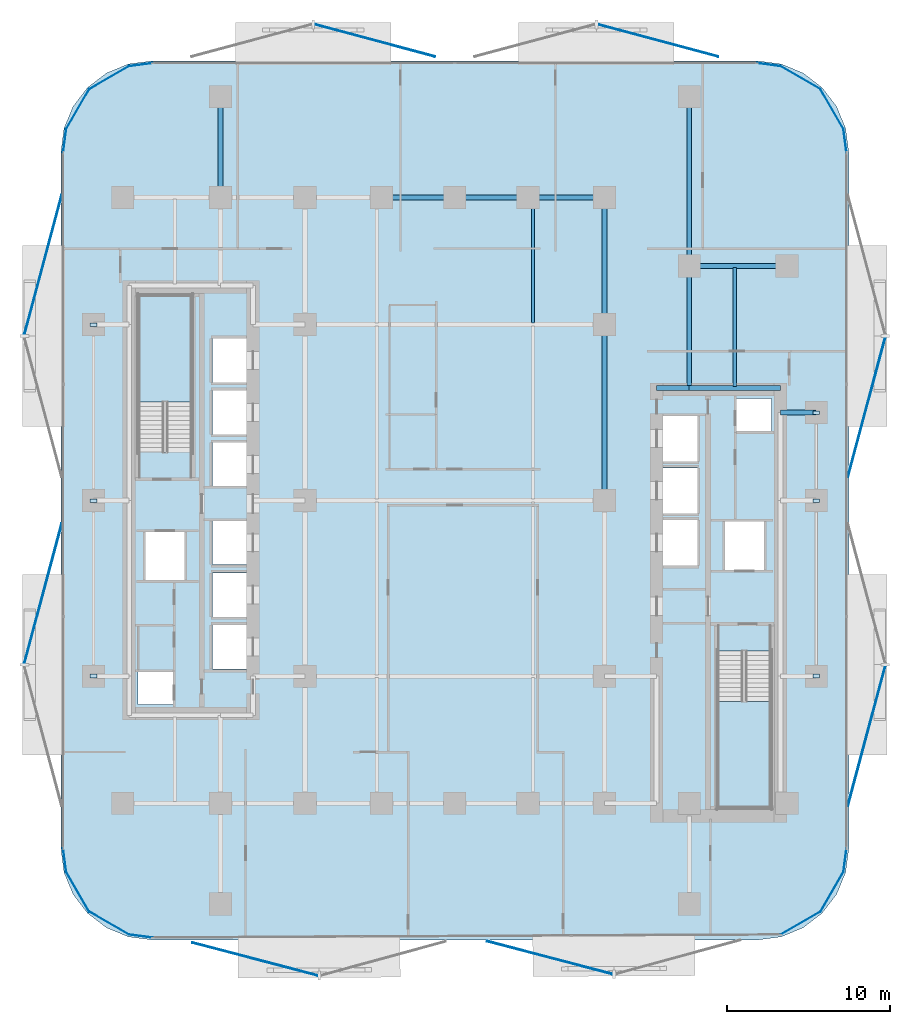
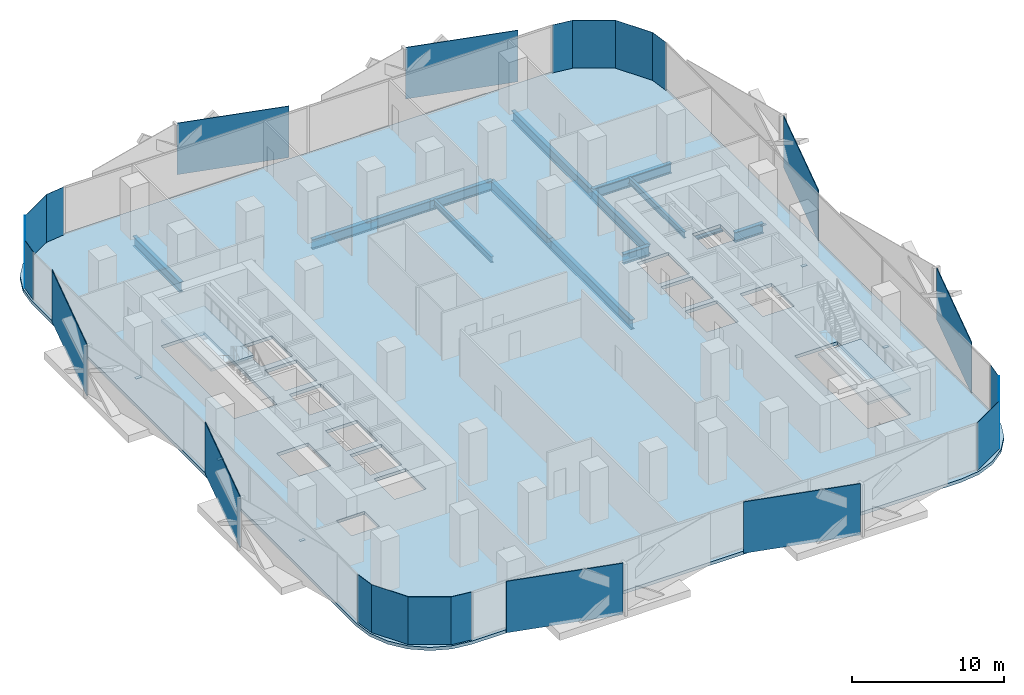
# One storey, part 2 of 16: 29 plates, 14 beams, 3 slabs, 2 elements without a shape of their own.
"""IFC4 building model written with IfcOpenShell, lengths in metres."""

from ifc_helpers import new_model, si_unit, direction, frame, origin, origin_2d, place, context, subcontext, project, spatial, polyline, rectangle, i_section, outline, extrude, material, layer, layer_set, material_profile, profile_set, type_object, element, aggregate, save


model = new_model("IFC4")

# Units and contexts
model_context = context("Model", 3, precision=1e-05, world=origin(), true_north=direction((0.0, 1.0)))
body_context = subcontext(model_context, "Body", "Model", "MODEL_VIEW")
ifc_project = project(units=[si_unit("LENGTHUNIT", "METRE"), si_unit("AREAUNIT", "SQUARE_METRE"), si_unit("VOLUMEUNIT", "CUBIC_METRE"), si_unit("PLANEANGLEUNIT", "RADIAN"), si_unit("MASSUNIT", "GRAM", prefix="KILO")], contexts=[model_context])

# Site, building, storey
site_placement = place(None, origin())
site = spatial("IfcSite", under=ifc_project, at=site_placement, CompositionType="ELEMENT")
building_placement = place(site_placement, origin())
building = spatial("IfcBuilding", under=site, at=building_placement, Name="Khairoan Windgate Tower", CompositionType="ELEMENT")
storey_placement = place(building_placement, frame((0.0, 0.0, 80.60009765625)))
storey = spatial("IfcBuildingStorey", under=building, at=storey_placement, Name="L19", CompositionType="ELEMENT", Elevation=80.60009765625)

# Beams
ifc_material_1 = material(Name="Steel S355", Category="steel")
ifc_material_profile_1 = material_profile(ifc_material_1, i_section(OverallWidth=0.300048828125, OverallDepth=0.800048828125, WebThickness=0.013916015625, FlangeThickness=0.02587890625, FilletRadius=0.028076171875, at=origin_2d()))
ifc_profile_set_1 = profile_set([ifc_material_profile_1], Name="Steel S355")
beam_type_1 = type_object("IfcBeamType", Name="Beam B-G2 H800x300x14x26", PredefinedType="BEAM", material=ifc_profile_set_1)
beam_1_placement = place(storey_placement, frame((20.0, 5.39990234375, -0.66015625), z_axis=(1.0, 0.0, 0.0), x_axis=(0.0, 1.0, 0.0)))
element("IfcBeam", 1, at=beam_1_placement, inside=storey, type_object=beam_type_1, Name="L19 E-W Primary Girder 19", PredefinedType="BEAM", context=body_context, shape_type="SweptSolid", body=[
    extrude(i_section(OverallWidth=0.300048828125, OverallDepth=0.800048828125, WebThickness=0.013916015625, FlangeThickness=0.02587890625, FilletRadius=0.028076171875, at=origin_2d()), origin(), (0.0, 0.0, 1.0), 2.199951171875),
])
beam_2_placement = place(storey_placement, frame((12.39990234375, 6.89990234375, -0.66015625), z_axis=(1.0, 0.0, 0.0), x_axis=(0.0, 1.0, 0.0)))
element("IfcBeam", 2, at=beam_2_placement, inside=storey, type_object=beam_type_1, Name="L19 E-W Primary Girder 20", PredefinedType="BEAM", context=body_context, shape_type="SweptSolid", body=[
    extrude(i_section(OverallWidth=0.300048828125, OverallDepth=0.800048828125, WebThickness=0.013916015625, FlangeThickness=0.02587890625, FilletRadius=0.028076171875, at=origin_2d()), origin(), (0.0, 0.0, 1.0), 2.0),
])
beam_3_placement = place(storey_placement, frame((14.39990234375, 6.89990234375, -0.66015625), z_axis=(1.0, 0.0, 0.0), x_axis=(0.0, 1.0, 0.0)))
element("IfcBeam", 3, at=beam_3_placement, inside=storey, type_object=beam_type_1, Name="L19 E-W Primary Girder 21", PredefinedType="BEAM", context=body_context, shape_type="SweptSolid", body=[
    extrude(i_section(OverallWidth=0.300048828125, OverallDepth=0.800048828125, WebThickness=0.013916015625, FlangeThickness=0.02587890625, FilletRadius=0.028076171875, at=origin_2d()), origin(), (0.0, 0.0, 1.0), 5.60009765625),
])
beam_4_placement = place(storey_placement, frame((14.39990234375, 14.39990234375, -0.66015625), z_axis=(1.0, 0.0, 0.0), x_axis=(0.0, 1.0, 0.0)))
element("IfcBeam", 4, at=beam_4_placement, inside=storey, type_object=beam_type_1, Name="L19 E-W Primary Girder 27", PredefinedType="BEAM", context=body_context, shape_type="SweptSolid", body=[
    extrude(i_section(OverallWidth=0.300048828125, OverallDepth=0.800048828125, WebThickness=0.013916015625, FlangeThickness=0.02587890625, FilletRadius=0.028076171875, at=origin_2d()), origin(), (0.0, 0.0, 1.0), 6.0),
])
for number, where, z_axis, x_axis, name in (
    (5, (-4.5, 18.60009765625, -0.66015625), (1.0, 0.0, 0.0), (0.0, 1.0, 0.0), "L19 E-W Primary Girder 31"),
    (6, (0.0, 18.60009765625, -0.66015625), (1.0, 0.0, 0.0), (0.0, 1.0, 0.0), "L19 E-W Primary Girder 32"),
):
    element("IfcBeam", number, at=place(storey_placement, frame(where, z_axis=z_axis, x_axis=x_axis)), inside=storey, type_object=beam_type_1, Name=name, PredefinedType="BEAM", context=body_context, shape_type="SweptSolid", body=[
        extrude(i_section(OverallWidth=0.300048828125, OverallDepth=0.800048828125, WebThickness=0.013916015625, FlangeThickness=0.02587890625, FilletRadius=0.028076171875, at=origin_2d()), origin(), (0.0, 0.0, 1.0), 4.5),
    ])
beam_5_placement = place(storey_placement, frame((4.5, 18.60009765625, -0.66015625), z_axis=(1.0, 0.0, 0.0), x_axis=(0.0, 1.0, 0.0)))
element("IfcBeam", 7, at=beam_5_placement, inside=storey, type_object=beam_type_1, Name="L19 E-W Primary Girder 33", PredefinedType="BEAM", context=body_context, shape_type="SweptSolid", body=[
    extrude(i_section(OverallWidth=0.300048828125, OverallDepth=0.800048828125, WebThickness=0.013916015625, FlangeThickness=0.02587890625, FilletRadius=0.028076171875, at=origin_2d()), origin(), (0.0, 0.0, 1.0), 4.699951171875),
])
beam_6_placement = place(storey_placement, frame((-14.39990234375, 18.60009765625, -0.66015625), z_axis=(0.0, 1.0, 0.0), x_axis=(-1.0, 0.0, 0.0)))
element("IfcBeam", 8, at=beam_6_placement, inside=storey, type_object=beam_type_1, Name="L19 N-S Primary Beam 43", PredefinedType="BEAM", context=body_context, shape_type="SweptSolid", body=[
    extrude(i_section(OverallWidth=0.300048828125, OverallDepth=0.800048828125, WebThickness=0.013916015625, FlangeThickness=0.02587890625, FilletRadius=0.028076171875, at=origin_2d()), origin(), (0.0, 0.0, 1.0), 6.199951171875),
])
beam_7_placement = place(storey_placement, frame((9.199951171875, 0.0, -0.66015625), z_axis=(0.0, 1.0, 0.0), x_axis=(-1.0, 0.0, 0.0)))
element("IfcBeam", 9, at=beam_7_placement, inside=storey, type_object=beam_type_1, Name="L19 N-S Primary Beam 52", PredefinedType="BEAM", context=body_context, shape_type="SweptSolid", body=[
    extrude(i_section(OverallWidth=0.300048828125, OverallDepth=0.800048828125, WebThickness=0.013916015625, FlangeThickness=0.02587890625, FilletRadius=0.028076171875, at=origin_2d()), origin(), (0.0, 0.0, 1.0), 10.800048828125),
])
beam_8_placement = place(storey_placement, frame((9.199951171875, 10.800048828125, -0.66015625), z_axis=(0.0, 1.0, 0.0), x_axis=(-1.0, 0.0, 0.0)))
element("IfcBeam", 10, at=beam_8_placement, inside=storey, type_object=beam_type_1, Name="L19 N-S Primary Beam 53", PredefinedType="BEAM", context=body_context, shape_type="SweptSolid", body=[
    extrude(i_section(OverallWidth=0.300048828125, OverallDepth=0.800048828125, WebThickness=0.013916015625, FlangeThickness=0.02587890625, FilletRadius=0.028076171875, at=origin_2d()), origin(), (0.0, 0.0, 1.0), 7.800048828125),
])
beam_9_placement = place(storey_placement, frame((14.39990234375, 6.89990234375, -0.66015625), z_axis=(0.0, 1.0, 0.0), x_axis=(-1.0, 0.0, 0.0)))
element("IfcBeam", 11, at=beam_9_placement, inside=storey, type_object=beam_type_1, Name="L19 N-S Primary Beam 56", PredefinedType="BEAM", context=body_context, shape_type="SweptSolid", body=[
    extrude(i_section(OverallWidth=0.300048828125, OverallDepth=0.800048828125, WebThickness=0.013916015625, FlangeThickness=0.02587890625, FilletRadius=0.028076171875, at=origin_2d()), origin(), (0.0, 0.0, 1.0), 7.5),
])
beam_10_placement = place(storey_placement, frame((14.39990234375, 14.39990234375, -0.66015625), z_axis=(0.0, 1.0, 0.0), x_axis=(-1.0, 0.0, 0.0)))
element("IfcBeam", 12, at=beam_10_placement, inside=storey, type_object=beam_type_1, Name="L19 N-S Primary Beam 57", PredefinedType="BEAM", context=body_context, shape_type="SweptSolid", body=[
    extrude(i_section(OverallWidth=0.300048828125, OverallDepth=0.800048828125, WebThickness=0.013916015625, FlangeThickness=0.02587890625, FilletRadius=0.028076171875, at=origin_2d()), origin(), (0.0, 0.0, 1.0), 10.400146484375),
])
ifc_material_2 = material(Name="Steel S355", Category="steel")
ifc_material_profile_2 = material_profile(ifc_material_2, i_section(OverallWidth=0.199951171875, OverallDepth=0.5, WebThickness=0.010009765625, FlangeThickness=0.01611328125, FilletRadius=0.02001953125, at=origin_2d()))
ifc_profile_set_2 = profile_set([ifc_material_profile_2], Name="Steel S355")
beam_type_2 = type_object("IfcBeamType", Name="Beam J-S2 H500x200x10x16", PredefinedType="JOIST", material=ifc_profile_set_2)
beam_11_placement = place(storey_placement, frame((4.800048828125, 10.889892578125, -0.510009765625), z_axis=(0.0, 1.0, 0.0), x_axis=(-1.0, 0.0, 0.0)))
element("IfcBeam", 13, at=beam_11_placement, inside=storey, type_object=beam_type_2, Name="L19 Secondary Floor Joist 10", PredefinedType="JOIST", context=body_context, shape_type="SweptSolid", body=[
    extrude(i_section(OverallWidth=0.199951171875, OverallDepth=0.5, WebThickness=0.010009765625, FlangeThickness=0.01611328125, FilletRadius=0.02001953125, at=origin_2d()), origin(), (0.0, 0.0, 1.0), 7.6201171875),
])
beam_12_placement = place(storey_placement, frame((17.199951171875, 6.989990234375, -0.510009765625), z_axis=(0.0, 1.0, 0.0), x_axis=(-1.0, 0.0, 0.0)))
element("IfcBeam", 14, at=beam_12_placement, inside=storey, type_object=beam_type_2, Name="L19 Secondary Floor Joist 11", PredefinedType="JOIST", context=body_context, shape_type="SweptSolid", body=[
    extrude(i_section(OverallWidth=0.199951171875, OverallDepth=0.5, WebThickness=0.010009765625, FlangeThickness=0.01611328125, FilletRadius=0.02001953125, at=origin_2d()), origin(), (0.0, 0.0, 1.0), 7.320068359375),
])

# Plates
ifc_material_3 = material(Name="Low-E Solar Control Laminated Glass", Category="glass")
ifc_layer_1 = layer(ifc_material_3, 0.030029296875, Name="Low-E Solar Control Laminated Glass")
ifc_layer_set_1 = layer_set([ifc_layer_1], Name="Low-E Solar Control Laminated Glass")
plate_type_1 = type_object("IfcPlateType", Name="Aerodynamic Wind-Corner Curved Glazing Plate", PredefinedType="USERDEFINED", material=ifc_layer_set_1)
plate_placement = place(storey_placement, frame((-19.302001953125, -26.766357421875, -0.000244140625), z_axis=(0.0, 0.0, 1.0), x_axis=(-0.991444861374, 0.13052619222, 0.0)))
element("IfcPlate", 15, at=plate_placement, inside=storey, type_object=plate_type_1, Name="L19 Aerodynamic Wind-Corner Curved Glazing Panel 2", ObjectType="GLAZING PANEL", PredefinedType="USERDEFINED", context=body_context, shape_type="SweptSolid", body=[
    extrude(rectangle(XDim=1.474365234375, YDim=0.028076171875, at=origin_2d()), origin(), (0.0, 0.0, 1.0), 3.85009765625),
])
for number, where, z_axis, x_axis, name in (
    (16, (-21.236328125, -25.96630859375, -0.000244140625), (0.0, 0.0, 1.0), (-0.866025403784, 0.5, 0.0), "L19 Aerodynamic Wind-Corner Curved Glazing Panel 3"),
    (17, (-23.16650390625, -24.03662109375, -0.000244140625), (0.0, 0.0, 1.0), (-0.5, 0.866025403784, 0.0), "L19 Aerodynamic Wind-Corner Curved Glazing Panel 4"),
):
    element("IfcPlate", number, at=place(storey_placement, frame(where, z_axis=z_axis, x_axis=x_axis)), inside=storey, type_object=plate_type_1, Name=name, ObjectType="GLAZING PANEL", PredefinedType="USERDEFINED", context=body_context, shape_type="SweptSolid", body=[
        extrude(rectangle(XDim=2.86572265625, YDim=0.028076171875, at=origin_2d()), origin(), (0.0, 0.0, 1.0), 3.85009765625),
    ])
for number, where, z_axis, x_axis, name in (
    (18, (-23.96630859375, -22.101806640625, -0.000244140625), (0.0, 0.0, 1.0), (-0.13052619222, 0.991444861374, 0.0), "L19 Aerodynamic Wind-Corner Curved Glazing Panel 5"),
    (19, (-23.96630859375, 22.101806640625, -0.000244140625), (0.0, 0.0, 1.0), (0.13052619222, 0.991444861374, 0.0), "L19 Aerodynamic Wind-Corner Curved Glazing Panel 7"),
):
    element("IfcPlate", number, at=place(storey_placement, frame(where, z_axis=z_axis, x_axis=x_axis)), inside=storey, type_object=plate_type_1, Name=name, ObjectType="GLAZING PANEL", PredefinedType="USERDEFINED", context=body_context, shape_type="SweptSolid", body=[
        extrude(rectangle(XDim=1.474365234375, YDim=0.028076171875, at=origin_2d()), origin(), (0.0, 0.0, 1.0), 3.85009765625),
    ])
for number, where, z_axis, x_axis, name in (
    (20, (-23.16650390625, 24.03662109375, -0.000244140625), (0.0, 0.0, 1.0), (0.5, 0.866025403784, 0.0), "L19 Aerodynamic Wind-Corner Curved Glazing Panel 8"),
    (21, (-21.236328125, 25.96630859375, -0.000244140625), (0.0, 0.0, 1.0), (0.866025403784, 0.5, 0.0), "L19 Aerodynamic Wind-Corner Curved Glazing Panel 9"),
):
    element("IfcPlate", number, at=place(storey_placement, frame(where, z_axis=z_axis, x_axis=x_axis)), inside=storey, type_object=plate_type_1, Name=name, ObjectType="GLAZING PANEL", PredefinedType="USERDEFINED", context=body_context, shape_type="SweptSolid", body=[
        extrude(rectangle(XDim=2.86572265625, YDim=0.028076171875, at=origin_2d()), origin(), (0.0, 0.0, 1.0), 3.85009765625),
    ])
for number, where, z_axis, x_axis, name in (
    (22, (-19.302001953125, 26.766357421875, -0.000244140625), (0.0, 0.0, 1.0), (0.991444861374, 0.13052619222, 0.0), "L19 Aerodynamic Wind-Corner Curved Glazing Panel 10"),
    (23, (19.302001953125, 26.766357421875, -0.000244140625), (0.0, 0.0, 1.0), (0.991444861374, -0.13052619222, 0.0), "L19 Aerodynamic Wind-Corner Curved Glazing Panel 12"),
):
    element("IfcPlate", number, at=place(storey_placement, frame(where, z_axis=z_axis, x_axis=x_axis)), inside=storey, type_object=plate_type_1, Name=name, ObjectType="GLAZING PANEL", PredefinedType="USERDEFINED", context=body_context, shape_type="SweptSolid", body=[
        extrude(rectangle(XDim=1.474365234375, YDim=0.028076171875, at=origin_2d()), origin(), (0.0, 0.0, 1.0), 3.85009765625),
    ])
for number, where, z_axis, x_axis, name in (
    (24, (21.236328125, 25.96630859375, -0.000244140625), (0.0, 0.0, 1.0), (0.866025403784, -0.5, 0.0), "L19 Aerodynamic Wind-Corner Curved Glazing Panel 13"),
    (25, (23.16650390625, 24.03662109375, -0.000244140625), (0.0, 0.0, 1.0), (0.5, -0.866025403784, 0.0), "L19 Aerodynamic Wind-Corner Curved Glazing Panel 14"),
):
    element("IfcPlate", number, at=place(storey_placement, frame(where, z_axis=z_axis, x_axis=x_axis)), inside=storey, type_object=plate_type_1, Name=name, ObjectType="GLAZING PANEL", PredefinedType="USERDEFINED", context=body_context, shape_type="SweptSolid", body=[
        extrude(rectangle(XDim=2.86572265625, YDim=0.028076171875, at=origin_2d()), origin(), (0.0, 0.0, 1.0), 3.85009765625),
    ])
for number, where, z_axis, x_axis, name in (
    (26, (23.96630859375, 22.101806640625, -0.000244140625), (0.0, 0.0, 1.0), (0.13052619222, -0.991444861374, 0.0), "L19 Aerodynamic Wind-Corner Curved Glazing Panel 15"),
    (27, (23.96630859375, -22.101806640625, -0.000244140625), (0.0, 0.0, 1.0), (-0.13052619222, -0.991444861374, 0.0), "L19 Aerodynamic Wind-Corner Curved Glazing Panel 17"),
):
    element("IfcPlate", number, at=place(storey_placement, frame(where, z_axis=z_axis, x_axis=x_axis)), inside=storey, type_object=plate_type_1, Name=name, ObjectType="GLAZING PANEL", PredefinedType="USERDEFINED", context=body_context, shape_type="SweptSolid", body=[
        extrude(rectangle(XDim=1.474365234375, YDim=0.028076171875, at=origin_2d()), origin(), (0.0, 0.0, 1.0), 3.85009765625),
    ])
for number, where, z_axis, x_axis, name in (
    (28, (23.16650390625, -24.03662109375, -0.000244140625), (0.0, 0.0, 1.0), (-0.5, -0.866025403784, 0.0), "L19 Aerodynamic Wind-Corner Curved Glazing Panel 18"),
    (29, (21.236328125, -25.96630859375, -0.000244140625), (0.0, 0.0, 1.0), (-0.866025403784, -0.5, 0.0), "L19 Aerodynamic Wind-Corner Curved Glazing Panel 19"),
):
    element("IfcPlate", number, at=place(storey_placement, frame(where, z_axis=z_axis, x_axis=x_axis)), inside=storey, type_object=plate_type_1, Name=name, ObjectType="GLAZING PANEL", PredefinedType="USERDEFINED", context=body_context, shape_type="SweptSolid", body=[
        extrude(rectangle(XDim=2.86572265625, YDim=0.028076171875, at=origin_2d()), origin(), (0.0, 0.0, 1.0), 3.85009765625),
    ])
ifc_material_4 = material(Name="Steel S355", Category="steel")
ifc_layer_2 = layer(ifc_material_4, 0.0400390625, Name="Steel S355")
ifc_layer_set_2 = layer_set([ifc_layer_2], Name="Steel S355")
plate_type_2 = type_object("IfcPlateType", Name="Hollow Section End-Cap Plate PL-CAP40", PredefinedType="SHEET", material=ifc_layer_set_2)
for number, where, z_axis, x_axis, name in (
    (30, (-22.199951171875, -10.784912109375, -0.480224609375), (0.0, 0.0, 1.0), (0.0, 1.0, 0.0), "BM-SP-L19-034 steel end-cap plate 1"),
    (31, (-22.199951171875, -0.014892578125, -0.480224609375), (0.0, 0.0, 1.0), (0.0, 1.0, 0.0), "BM-SP-L19-034 steel end-cap plate 2"),
    (32, (-22.199951171875, 10.784912109375, -0.480224609375), (0.0, 0.0, 1.0), (0.0, 1.0, 0.0), "BM-SP-L19-035 steel end-cap plate 2"),
    (33, (22.199951171875, -10.784912109375, -0.480224609375), (0.0, 0.0, 1.0), (0.0, 1.0, 0.0), "BM-SP-L19-061 steel end-cap plate 1"),
    (34, (22.199951171875, -0.014892578125, -0.480224609375), (0.0, 0.0, 1.0), (0.0, 1.0, 0.0), "BM-SP-L19-061 steel end-cap plate 2"),
    (35, (22.199951171875, 5.385009765625, -0.480224609375), (0.0, 0.0, 1.0), (0.0, 1.0, 0.0), "BM-SP-L19-062 steel end-cap plate 2"),
):
    element("IfcPlate", number, at=place(storey_placement, frame(where, z_axis=z_axis, x_axis=x_axis)), inside=storey, type_object=plate_type_2, Name=name, PredefinedType="SHEET", context=body_context, shape_type="SweptSolid", body=[
        extrude(rectangle(XDim=0.219970703125, YDim=0.419921875, at=origin_2d()), origin(), (0.0, 0.0, 1.0), 0.0400390625),
    ])
ifc_material_5 = material(Name="Anodised Bronze Aluminium 6063-T6", Category="aluminium")
ifc_layer_3 = layer(ifc_material_5, 0.054931640625, Name="Anodised Bronze Aluminium 6063-T6")
ifc_layer_set_3 = layer_set([ifc_layer_3], Name="Anodised Bronze Aluminium 6063-T6")
plate_type_3 = type_object("IfcPlateType", Name="Perforated Bronze Solar Screen Panel BSP-1", PredefinedType="USERDEFINED", material=ifc_layer_set_3)
for number, where, z_axis, x_axis, name in (
    (36, (5.831787109375, -28.0908203125, -0.10009765625), (0.0, 0.0, 1.0), (-0.967179115616, 0.254095569259, 0.0), "L19 Perforated Bronze Solar Screen Panel 105R"),
    (37, (-12.27001953125, -28.1787109375, -0.10009765625), (0.0, 0.0, 1.0), (-0.967179115616, 0.254095569259, 0.0), "L19 Perforated Bronze Solar Screen Panel 106R"),
):
    element("IfcPlate", number, at=place(storey_placement, frame(where, z_axis=z_axis, x_axis=x_axis)), inside=storey, type_object=plate_type_3, Name=name, ObjectType="SCREEN", PredefinedType="USERDEFINED", context=body_context, shape_type="SweptSolid", body=[
        extrude(rectangle(XDim=7.965087890625, YDim=0.054931640625, at=origin_2d()), origin(), (0.0, 0.0, 1.0), 4.139892578125),
    ])
for number, where, z_axis, x_axis, name in (
    (38, (-25.290283203125, -5.71484375, -0.10009765625), (0.0, 0.0, 1.0), (0.258819045103, 0.965925826289, 0.0), "L19 Perforated Bronze Solar Screen Panel 107R"),
    (39, (-25.290283203125, 14.47607421875, -0.10009765625), (0.0, 0.0, 1.0), (0.258819045103, 0.965925826289, 0.0), "L19 Perforated Bronze Solar Screen Panel 108R"),
):
    element("IfcPlate", number, at=place(storey_placement, frame(where, z_axis=z_axis, x_axis=x_axis)), inside=storey, type_object=plate_type_3, Name=name, ObjectType="SCREEN", PredefinedType="USERDEFINED", context=body_context, shape_type="SweptSolid", body=[
        extrude(rectangle(XDim=8.884033203125, YDim=0.054931640625, at=origin_2d()), origin(), (0.0, 0.0, 1.0), 4.139892578125),
    ])
for number, where, z_axis, x_axis, name in (
    (40, (-4.909912109375, 28.249755859375, -0.10009765625), (0.0, 0.0, 1.0), (0.965925826289, -0.258819045103, 0.0), "L19 Perforated Bronze Solar Screen Panel 109R"),
    (41, (12.48095703125, 28.249755859375, -0.10009765625), (0.0, 0.0, 1.0), (0.965925826289, -0.258819045103, 0.0), "L19 Perforated Bronze Solar Screen Panel 110R"),
):
    element("IfcPlate", number, at=place(storey_placement, frame(where, z_axis=z_axis, x_axis=x_axis)), inside=storey, type_object=plate_type_3, Name=name, ObjectType="SCREEN", PredefinedType="USERDEFINED", context=body_context, shape_type="SweptSolid", body=[
        extrude(rectangle(XDim=7.652099609375, YDim=0.054931640625, at=origin_2d()), origin(), (0.0, 0.0, 1.0), 4.139892578125),
    ])
for number, where, z_axis, x_axis, name in (
    (42, (25.290283203125, 5.71484375, -0.10009765625), (0.0, 0.0, 1.0), (-0.258819045103, -0.965925826289, 0.0), "L19 Perforated Bronze Solar Screen Panel 111R"),
    (43, (25.290283203125, -14.47607421875, -0.10009765625), (0.0, 0.0, 1.0), (-0.258819045103, -0.965925826289, 0.0), "L19 Perforated Bronze Solar Screen Panel 112R"),
):
    element("IfcPlate", number, at=place(storey_placement, frame(where, z_axis=z_axis, x_axis=x_axis)), inside=storey, type_object=plate_type_3, Name=name, ObjectType="SCREEN", PredefinedType="USERDEFINED", context=body_context, shape_type="SweptSolid", body=[
        extrude(rectangle(XDim=8.884033203125, YDim=0.054931640625, at=origin_2d()), origin(), (0.0, 0.0, 1.0), 4.139892578125),
    ])

# Stair, slab
ifc_material_6 = material(Name="Concrete C40/50", Category="concrete")
stair_type = type_object("IfcStairType", Name="Tower Core Dog-Leg Stair ST-T1 1560mm", PredefinedType="HALF_TURN_STAIR", material=ifc_material_6)
stair_1_placement = place(storey_placement, origin())
stair_1 = element("IfcStair", 44, at=stair_1_placement, inside=storey, type_object=stair_type, Name="L19 Stair ST1", PredefinedType="HALF_TURN_STAIR")
ifc_material_7 = material(Name="Concrete C40/50", Category="concrete")
ifc_layer_4 = layer(ifc_material_7, 0.199951171875, Name="Concrete C40/50")
ifc_layer_set_4 = layer_set([ifc_layer_4], Name="Concrete C40/50")
slab_type_1 = type_object("IfcSlabType", Name="Reinforced Concrete Stair Landing Slab STL-200", PredefinedType="LANDING", material=ifc_layer_set_4)
slab_1_placement = place(storey_placement, frame((0.0, 0.0, 1.89990234375)))
slab_1 = element("IfcSlab", 45, at=slab_1_placement, type_object=slab_type_1, Name="ST1 landing 1", PredefinedType="LANDING", context=body_context, shape_type="SweptSolid", body=[
    extrude(outline(polyline([(16.14990234375, -12.340087890625), (16.14990234375, -18.89990234375), (19.419921875, -18.89990234375), (19.419921875, -12.340087890625), (16.14990234375, -12.340087890625)])), origin(), (0.0, 0.0, 1.0), 0.199951171875),
])
aggregate(stair_1, [slab_1])

stair_2_placement = place(storey_placement, origin())
stair_2 = element("IfcStair", 46, at=stair_2_placement, inside=storey, type_object=stair_type, Name="L19 Stair ST2", PredefinedType="HALF_TURN_STAIR")
slab_2_placement = place(storey_placement, frame((0.0, 0.0, 1.89990234375)))
slab_2 = element("IfcSlab", 47, at=slab_2_placement, type_object=slab_type_1, Name="ST2 landing 1", PredefinedType="LANDING", context=body_context, shape_type="SweptSolid", body=[
    extrude(outline(polyline([(-16.14990234375, 6.0400390625), (-16.14990234375, 12.60009765625), (-19.419921875, 12.60009765625), (-19.419921875, 6.0400390625), (-16.14990234375, 6.0400390625)])), origin(), (0.0, 0.0, 1.0), 0.199951171875),
])
aggregate(stair_2, [slab_2])

# Slab
ifc_material_8 = material(Name="Concrete C40/50", Category="concrete")
ifc_layer_5 = layer(ifc_material_8, 0.260009765625, Name="Concrete C40/50")
ifc_layer_set_5 = layer_set([ifc_layer_5], Name="Concrete C40/50")
slab_type_2 = type_object("IfcSlabType", Name="Tower Composite Floor Slab FS2 260mm", PredefinedType="FLOOR", material=ifc_layer_set_5)
slab_3_placement = place(storey_placement, frame((0.0, 0.0, -0.260009765625)))
element("IfcSlab", 48, at=slab_3_placement, inside=storey, type_object=slab_type_2, Name="L19 Structural Floor Slab", PredefinedType="FLOOR", context=body_context, shape_type="SweptSolid", body=[
    extrude(outline(polyline([(18.60009765625, -27.0), (20.04931640625, -26.80908203125), (21.39990234375, -26.249755859375), (22.559814453125, -25.35986328125), (23.44970703125, -24.199951171875), (24.00927734375, -22.849365234375), (24.199951171875, -21.39990234375), (24.199951171875, 21.39990234375), (24.00927734375, 22.849365234375), (23.44970703125, 24.199951171875), (22.559814453125, 25.35986328125), (21.39990234375, 26.249755859375), (20.04931640625, 26.80908203125), (18.60009765625, 27.0), (-18.60009765625, 27.0), (-20.04931640625, 26.80908203125), (-21.39990234375, 26.249755859375), (-22.559814453125, 25.35986328125), (-23.44970703125, 24.199951171875), (-24.00927734375, 22.849365234375), (-24.199951171875, 21.39990234375), (-24.199951171875, -21.39990234375), (-24.00927734375, -22.849365234375), (-23.44970703125, -24.199951171875), (-22.559814453125, -25.35986328125), (-21.39990234375, -26.249755859375), (-20.04931640625, -26.80908203125), (-18.60009765625, -27.0), (18.60009765625, -27.0)]), holes=[polyline([(16.14990234375, -9.260009765625), (16.14990234375, -18.89990234375), (19.419921875, -18.89990234375), (19.419921875, -9.260009765625), (16.14990234375, -9.260009765625)]), polyline([(-16.14990234375, 2.9599609375), (-16.14990234375, 12.60009765625), (-19.419921875, 12.60009765625), (-19.419921875, 2.9599609375), (-16.14990234375, 2.9599609375)]), polyline([(-14.89990234375, 7.25), (-12.5, 7.25), (-12.5, 9.949951171875), (-14.89990234375, 9.949951171875), (-14.89990234375, 7.25)]), polyline([(-14.89990234375, 4.050048828125), (-12.5, 4.050048828125), (-12.5, 6.75), (-14.89990234375, 6.75), (-14.89990234375, 4.050048828125)]), polyline([(-14.89990234375, 0.85009765625), (-12.5, 0.85009765625), (-12.5, 3.550048828125), (-14.89990234375, 3.550048828125), (-14.89990234375, 0.85009765625)]), polyline([(-14.89990234375, -3.949951171875), (-12.5, -3.949951171875), (-12.5, -1.25), (-14.89990234375, -1.25), (-14.89990234375, -3.949951171875)]), polyline([(-14.89990234375, -7.14990234375), (-12.5, -7.14990234375), (-12.5, -4.449951171875), (-14.89990234375, -4.449951171875), (-14.89990234375, -7.14990234375)]), polyline([(-14.89990234375, -10.35009765625), (-12.5, -10.35009765625), (-12.5, -7.64990234375), (-14.89990234375, -7.64990234375), (-14.89990234375, -10.35009765625)]), polyline([(12.5, 2.39990234375), (14.89990234375, 2.39990234375), (14.89990234375, 5.199951171875), (12.5, 5.199951171875), (12.5, 2.39990234375)]), polyline([(12.5, -0.800048828125), (14.89990234375, -0.800048828125), (14.89990234375, 2.0), (12.5, 2.0), (12.5, -0.800048828125)]), polyline([(12.5, -4.0), (14.89990234375, -4.0), (14.89990234375, -1.199951171875), (12.5, -1.199951171875), (12.5, -4.0)]), polyline([(16.60009765625, -4.300048828125), (19.0, -4.300048828125), (19.0, -1.300048828125), (16.60009765625, -1.300048828125), (16.60009765625, -4.300048828125)]), polyline([(-19.0, -4.89990234375), (-16.60009765625, -4.89990234375), (-16.60009765625, -1.89990234375), (-19.0, -1.89990234375), (-19.0, -4.89990234375)]), polyline([(-19.449951171875, -12.550048828125), (-17.31005859375, -12.550048828125), (-17.31005859375, -10.550048828125), (-19.449951171875, -10.550048828125), (-19.449951171875, -12.550048828125)]), polyline([(17.31005859375, 4.25), (19.449951171875, 4.25), (19.449951171875, 6.25), (17.31005859375, 6.25), (17.31005859375, 4.25)])]), origin(), (0.0, 0.0, 1.0), 0.260009765625),
])

save(model, "model.ifc")
